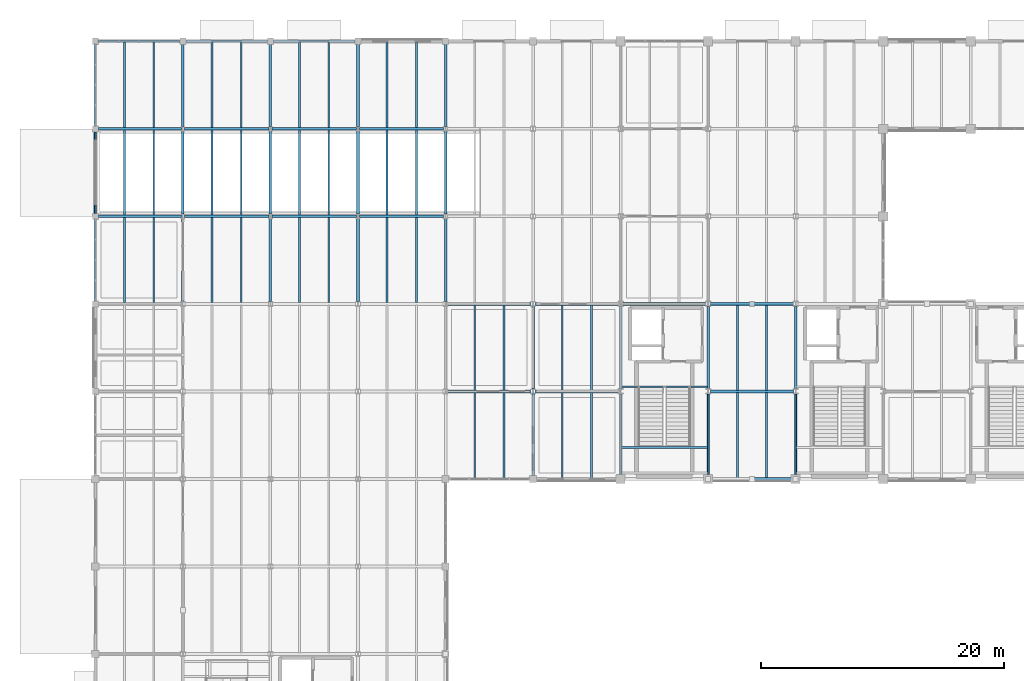
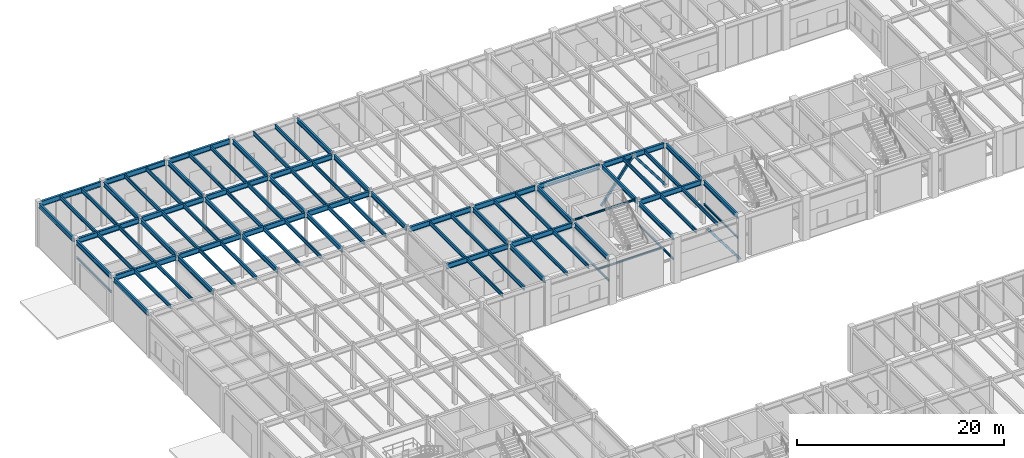
# One storey, part 25 of 97: 83 beams, 3 members.
"""IFC4 building model written with IfcOpenShell, lengths in metres."""

from ifc_helpers import new_model, si_unit, direction, frame, origin, origin_2d, place, context, subcontext, project, spatial, hollow_rectangle, i_section, extrude, material, material_profile, profile_set, type_object, element, save


model = new_model("IFC4")

# Units and contexts
model_context = context("Model", 3, precision=1e-05, world=origin(), true_north=direction((0.0, 1.0)))
body_context = subcontext(model_context, "Body", "Model", "MODEL_VIEW")
ifc_project = project(units=[si_unit("LENGTHUNIT", "METRE"), si_unit("AREAUNIT", "SQUARE_METRE"), si_unit("VOLUMEUNIT", "CUBIC_METRE"), si_unit("PLANEANGLEUNIT", "RADIAN"), si_unit("MASSUNIT", "GRAM", prefix="KILO")], contexts=[model_context])

# Site, building, storey
site_placement = place(None, origin())
site = spatial("IfcSite", under=ifc_project, at=site_placement, CompositionType="ELEMENT")
building_placement = place(site_placement, origin())
building = spatial("IfcBuilding", under=site, at=building_placement, Name="Sillqori Civic Hall", CompositionType="ELEMENT")
storey_placement = place(building_placement, origin())
storey = spatial("IfcBuildingStorey", under=building, at=storey_placement, Name="L01", CompositionType="ELEMENT", Elevation=0.0)

# Beams
ifc_material_1 = material(Name="Steel ASTM A992", Category="steel")
ifc_material_profile_1 = material_profile(ifc_material_1, i_section(OverallWidth=0.2099609375, OverallDepth=0.532958984375, WebThickness=0.01025390625, FlangeThickness=0.015625, FilletRadius=0.013916015625, at=origin_2d()), Name="W21X62")
ifc_profile_set_1 = profile_set([ifc_material_profile_1], Name="Steel ASTM A992")
beam_type_1 = type_object("IfcBeamType", Name="BM-W21X62", PredefinedType="BEAM", material=ifc_profile_set_1)
beam_1_placement = place(storey_placement, frame((7.199951171875, 93.843994140625, 4.93359375), z_axis=(0.0, 1.0, 0.0), x_axis=(-1.0, 0.0, 0.0)))
element("IfcBeam", 1, at=beam_1_placement, inside=storey, type_object=beam_type_1, Name="L01 girder Y 1-13", PredefinedType="BEAM", context=body_context, shape_type="SweptSolid", body=[
    extrude(i_section(OverallWidth=0.2099609375, OverallDepth=0.532958984375, WebThickness=0.01025390625, FlangeThickness=0.015625, FilletRadius=0.013916015625, at=origin_2d()), origin(), (0.0, 0.0, 1.0), 6.7119140625),
])
for number, where, z_axis, x_axis, name in (
    (2, (7.199951171875, 101.0439453125, 4.93359375), (0.0, 1.0, 0.0), (-1.0, 0.0, 0.0), "L01 girder Y 1-14"),
    (3, (7.199951171875, 108.243896484375, 4.93359375), (0.0, 1.0, 0.0), (-1.0, 0.0, 0.0), "L01 girder Y 1-15"),
):
    element("IfcBeam", number, at=place(storey_placement, frame(where, z_axis=z_axis, x_axis=x_axis)), inside=storey, type_object=beam_type_1, Name=name, PredefinedType="BEAM", context=body_context, shape_type="SweptSolid", body=[
        extrude(i_section(OverallWidth=0.2099609375, OverallDepth=0.532958984375, WebThickness=0.01025390625, FlangeThickness=0.015625, FilletRadius=0.013916015625, at=origin_2d()), origin(), (0.0, 0.0, 1.0), 6.712158203125),
    ])
beam_2_placement = place(storey_placement, frame((14.39990234375, 93.7744140625, 4.93359375), z_axis=(0.0, 1.0, 0.0), x_axis=(-1.0, 0.0, 0.0)))
element("IfcBeam", 4, at=beam_2_placement, inside=storey, type_object=beam_type_1, Name="L01 girder Y 2-13", PredefinedType="BEAM", context=body_context, shape_type="SweptSolid", body=[
    extrude(i_section(OverallWidth=0.2099609375, OverallDepth=0.532958984375, WebThickness=0.01025390625, FlangeThickness=0.015625, FilletRadius=0.013916015625, at=origin_2d()), origin(), (0.0, 0.0, 1.0), 6.85009765625),
])
beam_3_placement = place(storey_placement, frame((14.39990234375, 100.9755859375, 4.93359375), z_axis=(0.0, 1.0, 0.0), x_axis=(-1.0, 0.0, 0.0)))
element("IfcBeam", 5, at=beam_3_placement, inside=storey, type_object=beam_type_1, Name="L01 girder Y 2-14", PredefinedType="BEAM", context=body_context, shape_type="SweptSolid", body=[
    extrude(i_section(OverallWidth=0.2099609375, OverallDepth=0.532958984375, WebThickness=0.01025390625, FlangeThickness=0.015625, FilletRadius=0.013916015625, at=origin_2d()), origin(), (0.0, 0.0, 1.0), 6.848876953125),
])
beam_4_placement = place(storey_placement, frame((14.39990234375, 108.175537109375, 4.93359375), z_axis=(0.0, 1.0, 0.0), x_axis=(-1.0, 0.0, 0.0)))
element("IfcBeam", 6, at=beam_4_placement, inside=storey, type_object=beam_type_1, Name="L01 girder Y 2-15", PredefinedType="BEAM", context=body_context, shape_type="SweptSolid", body=[
    extrude(i_section(OverallWidth=0.2099609375, OverallDepth=0.532958984375, WebThickness=0.01025390625, FlangeThickness=0.015625, FilletRadius=0.013916015625, at=origin_2d()), origin(), (0.0, 0.0, 1.0), 6.780517578125),
])
beam_5_placement = place(storey_placement, frame((21.60009765625, 93.778076171875, 4.93359375), z_axis=(0.0, 1.0, 0.0), x_axis=(-1.0, 0.0, 0.0)))
element("IfcBeam", 7, at=beam_5_placement, inside=storey, type_object=beam_type_1, Name="L01 girder Y 3-13", PredefinedType="BEAM", context=body_context, shape_type="SweptSolid", body=[
    extrude(i_section(OverallWidth=0.2099609375, OverallDepth=0.532958984375, WebThickness=0.01025390625, FlangeThickness=0.015625, FilletRadius=0.013916015625, at=origin_2d()), origin(), (0.0, 0.0, 1.0), 6.846435546875),
])
beam_6_placement = place(storey_placement, frame((21.60009765625, 100.9755859375, 4.93359375), z_axis=(0.0, 1.0, 0.0), x_axis=(-1.0, 0.0, 0.0)))
element("IfcBeam", 8, at=beam_6_placement, inside=storey, type_object=beam_type_1, Name="L01 girder Y 3-14", PredefinedType="BEAM", context=body_context, shape_type="SweptSolid", body=[
    extrude(i_section(OverallWidth=0.2099609375, OverallDepth=0.532958984375, WebThickness=0.01025390625, FlangeThickness=0.015625, FilletRadius=0.013916015625, at=origin_2d()), origin(), (0.0, 0.0, 1.0), 6.848876953125),
])
beam_7_placement = place(storey_placement, frame((21.60009765625, 108.175537109375, 4.93359375), z_axis=(0.0, 1.0, 0.0), x_axis=(-1.0, 0.0, 0.0)))
element("IfcBeam", 9, at=beam_7_placement, inside=storey, type_object=beam_type_1, Name="L01 girder Y 3-15", PredefinedType="BEAM", context=body_context, shape_type="SweptSolid", body=[
    extrude(i_section(OverallWidth=0.2099609375, OverallDepth=0.532958984375, WebThickness=0.01025390625, FlangeThickness=0.015625, FilletRadius=0.013916015625, at=origin_2d()), origin(), (0.0, 0.0, 1.0), 6.780517578125),
])
beam_8_placement = place(storey_placement, frame((28.800048828125, 93.781982421875, 4.93359375), z_axis=(0.0, 1.0, 0.0), x_axis=(-1.0, 0.0, 0.0)))
element("IfcBeam", 10, at=beam_8_placement, inside=storey, type_object=beam_type_1, Name="L01 girder Y 4-13", PredefinedType="BEAM", context=body_context, shape_type="SweptSolid", body=[
    extrude(i_section(OverallWidth=0.2099609375, OverallDepth=0.532958984375, WebThickness=0.01025390625, FlangeThickness=0.015625, FilletRadius=0.013916015625, at=origin_2d()), origin(), (0.0, 0.0, 1.0), 6.842529296875),
])
beam_9_placement = place(storey_placement, frame((28.800048828125, 100.9755859375, 4.93359375), z_axis=(0.0, 1.0, 0.0), x_axis=(-1.0, 0.0, 0.0)))
element("IfcBeam", 11, at=beam_9_placement, inside=storey, type_object=beam_type_1, Name="L01 girder Y 4-14", PredefinedType="BEAM", context=body_context, shape_type="SweptSolid", body=[
    extrude(i_section(OverallWidth=0.2099609375, OverallDepth=0.532958984375, WebThickness=0.01025390625, FlangeThickness=0.015625, FilletRadius=0.013916015625, at=origin_2d()), origin(), (0.0, 0.0, 1.0), 6.848876953125),
])
beam_10_placement = place(storey_placement, frame((28.800048828125, 108.175537109375, 4.93359375), z_axis=(0.0, 1.0, 0.0), x_axis=(-1.0, 0.0, 0.0)))
element("IfcBeam", 12, at=beam_10_placement, inside=storey, type_object=beam_type_1, Name="L01 girder Y 4-15", PredefinedType="BEAM", context=body_context, shape_type="SweptSolid", body=[
    extrude(i_section(OverallWidth=0.2099609375, OverallDepth=0.532958984375, WebThickness=0.01025390625, FlangeThickness=0.015625, FilletRadius=0.013916015625, at=origin_2d()), origin(), (0.0, 0.0, 1.0), 6.780517578125),
])
beam_11_placement = place(storey_placement, frame((36.0, 93.787109375, 4.93359375), z_axis=(0.0, 1.0, 0.0), x_axis=(-1.0, 0.0, 0.0)))
element("IfcBeam", 13, at=beam_11_placement, inside=storey, type_object=beam_type_1, Name="L01 girder Y 5-13", PredefinedType="BEAM", context=body_context, shape_type="SweptSolid", body=[
    extrude(i_section(OverallWidth=0.2099609375, OverallDepth=0.532958984375, WebThickness=0.01025390625, FlangeThickness=0.015625, FilletRadius=0.013916015625, at=origin_2d()), origin(), (0.0, 0.0, 1.0), 6.83837890625),
])
beam_12_placement = place(storey_placement, frame((36.0, 100.974609375, 4.93359375), z_axis=(0.0, 1.0, 0.0), x_axis=(-1.0, 0.0, 0.0)))
element("IfcBeam", 14, at=beam_12_placement, inside=storey, type_object=beam_type_1, Name="L01 girder Y 5-14", PredefinedType="BEAM", context=body_context, shape_type="SweptSolid", body=[
    extrude(i_section(OverallWidth=0.2099609375, OverallDepth=0.532958984375, WebThickness=0.01025390625, FlangeThickness=0.015625, FilletRadius=0.013916015625, at=origin_2d()), origin(), (0.0, 0.0, 1.0), 6.850830078125),
])
beam_13_placement = place(storey_placement, frame((36.0, 108.174560546875, 4.93359375), z_axis=(0.0, 1.0, 0.0), x_axis=(-1.0, 0.0, 0.0)))
element("IfcBeam", 15, at=beam_13_placement, inside=storey, type_object=beam_type_1, Name="L01 girder Y 5-15", PredefinedType="BEAM", context=body_context, shape_type="SweptSolid", body=[
    extrude(i_section(OverallWidth=0.2099609375, OverallDepth=0.532958984375, WebThickness=0.01025390625, FlangeThickness=0.015625, FilletRadius=0.013916015625, at=origin_2d()), origin(), (0.0, 0.0, 1.0), 6.781494140625),
])
beam_14_placement = place(storey_placement, frame((43.199951171875, 79.493896484375, 4.93359375), z_axis=(0.0, 1.0, 0.0), x_axis=(-1.0, 0.0, 0.0)))
element("IfcBeam", 16, at=beam_14_placement, inside=storey, type_object=beam_type_1, Name="L01 girder Y 6-11", PredefinedType="BEAM", context=body_context, shape_type="SweptSolid", body=[
    extrude(i_section(OverallWidth=0.2099609375, OverallDepth=0.532958984375, WebThickness=0.01025390625, FlangeThickness=0.015625, FilletRadius=0.013916015625, at=origin_2d()), origin(), (0.0, 0.0, 1.0), 6.718994140625),
])
beam_15_placement = place(storey_placement, frame((43.199951171875, 86.5869140625, 4.93359375), z_axis=(0.0, 1.0, 0.0), x_axis=(-1.0, 0.0, 0.0)))
element("IfcBeam", 17, at=beam_15_placement, inside=storey, type_object=beam_type_1, Name="L01 girder Y 6-12", PredefinedType="BEAM", context=body_context, shape_type="SweptSolid", body=[
    extrude(i_section(OverallWidth=0.2099609375, OverallDepth=0.532958984375, WebThickness=0.01025390625, FlangeThickness=0.015625, FilletRadius=0.013916015625, at=origin_2d()), origin(), (0.0, 0.0, 1.0), 6.826171875),
])
beam_16_placement = place(storey_placement, frame((50.39990234375, 79.569091796875, 4.93359375), z_axis=(0.0, 1.0, 0.0), x_axis=(-1.0, 0.0, 0.0)))
element("IfcBeam", 18, at=beam_16_placement, inside=storey, type_object=beam_type_1, Name="L01 girder Y 7-11", PredefinedType="BEAM", context=body_context, shape_type="SweptSolid", body=[
    extrude(i_section(OverallWidth=0.2099609375, OverallDepth=0.532958984375, WebThickness=0.01025390625, FlangeThickness=0.015625, FilletRadius=0.013916015625, at=origin_2d()), origin(), (0.0, 0.0, 1.0), 6.6337890625),
])
beam_17_placement = place(storey_placement, frame((50.39990234375, 86.596923828125, 4.93359375), z_axis=(0.0, 1.0, 0.0), x_axis=(-1.0, 0.0, 0.0)))
element("IfcBeam", 19, at=beam_17_placement, inside=storey, type_object=beam_type_1, Name="L01 girder Y 7-12", PredefinedType="BEAM", context=body_context, shape_type="SweptSolid", body=[
    extrude(i_section(OverallWidth=0.2099609375, OverallDepth=0.532958984375, WebThickness=0.01025390625, FlangeThickness=0.015625, FilletRadius=0.013916015625, at=origin_2d()), origin(), (0.0, 0.0, 1.0), 6.80615234375),
])
beam_18_placement = place(storey_placement, frame((57.60009765625, 79.569091796875, 4.93359375), z_axis=(0.0, 1.0, 0.0), x_axis=(-1.0, 0.0, 0.0)))
element("IfcBeam", 20, at=beam_18_placement, inside=storey, type_object=beam_type_1, Name="L01 girder Y 8-11", PredefinedType="BEAM", context=body_context, shape_type="SweptSolid", body=[
    extrude(i_section(OverallWidth=0.2099609375, OverallDepth=0.532958984375, WebThickness=0.01025390625, FlangeThickness=0.015625, FilletRadius=0.013916015625, at=origin_2d()), origin(), (0.0, 0.0, 1.0), 6.6337890625),
])
beam_19_placement = place(storey_placement, frame((57.60009765625, 86.596923828125, 4.93359375), z_axis=(0.0, 1.0, 0.0), x_axis=(-1.0, 0.0, 0.0)))
element("IfcBeam", 21, at=beam_19_placement, inside=storey, type_object=beam_type_1, Name="L01 girder Y 8-12", PredefinedType="BEAM", context=body_context, shape_type="SweptSolid", body=[
    extrude(i_section(OverallWidth=0.2099609375, OverallDepth=0.532958984375, WebThickness=0.01025390625, FlangeThickness=0.015625, FilletRadius=0.013916015625, at=origin_2d()), origin(), (0.0, 0.0, 1.0), 6.80615234375),
])
beam_20_placement = place(storey_placement, frame((64.800048828125, 79.569091796875, 4.93359375), z_axis=(0.0, 1.0, 0.0), x_axis=(-1.0, 0.0, 0.0)))
element("IfcBeam", 22, at=beam_20_placement, inside=storey, type_object=beam_type_1, Name="L01 girder Y 9-11", PredefinedType="BEAM", context=body_context, shape_type="SweptSolid", body=[
    extrude(i_section(OverallWidth=0.2099609375, OverallDepth=0.532958984375, WebThickness=0.01025390625, FlangeThickness=0.015625, FilletRadius=0.013916015625, at=origin_2d()), origin(), (0.0, 0.0, 1.0), 6.6337890625),
])
beam_21_placement = place(storey_placement, frame((64.800048828125, 86.596923828125, 4.93359375), z_axis=(0.0, 1.0, 0.0), x_axis=(-1.0, 0.0, 0.0)))
element("IfcBeam", 23, at=beam_21_placement, inside=storey, type_object=beam_type_1, Name="L01 girder Y 9-12", PredefinedType="BEAM", context=body_context, shape_type="SweptSolid", body=[
    extrude(i_section(OverallWidth=0.2099609375, OverallDepth=0.532958984375, WebThickness=0.01025390625, FlangeThickness=0.015625, FilletRadius=0.013916015625, at=origin_2d()), origin(), (0.0, 0.0, 1.0), 6.80615234375),
])
ifc_material_profile_2 = material_profile(ifc_material_1, i_section(OverallWidth=0.22802734375, OverallDepth=0.60205078125, WebThickness=0.010498046875, FlangeThickness=0.014892578125, FilletRadius=0.014892578125, at=origin_2d()), Name="W24X68")
ifc_profile_set_2 = profile_set([ifc_material_profile_2], Name="Steel ASTM A992")
beam_type_2 = type_object("IfcBeamType", Name="BM-W24X68", PredefinedType="BEAM", material=ifc_profile_set_2)
for number, where, z_axis, x_axis, name in (
    (24, (7.444091796875, 100.800048828125, 4.89892578125), (1.0, 0.0, 0.0), (0.0, 1.0, 0.0), "L01 girder X 1-14"),
    (25, (7.444091796875, 108.0, 4.89892578125), (1.0, 0.0, 0.0), (0.0, 1.0, 0.0), "L01 girder X 1-15"),
):
    element("IfcBeam", number, at=place(storey_placement, frame(where, z_axis=z_axis, x_axis=x_axis)), inside=storey, type_object=beam_type_2, Name=name, PredefinedType="BEAM", context=body_context, shape_type="SweptSolid", body=[
        extrude(i_section(OverallWidth=0.22802734375, OverallDepth=0.60205078125, WebThickness=0.010498046875, FlangeThickness=0.014892578125, FilletRadius=0.014892578125, at=origin_2d()), origin(), (0.0, 0.0, 1.0), 6.83349609375),
    ])
beam_22_placement = place(storey_placement, frame((7.444091796875, 115.199951171875, 4.89892578125), z_axis=(1.0, 0.0, 0.0), x_axis=(0.0, 1.0, 0.0)))
element("IfcBeam", 26, at=beam_22_placement, inside=storey, type_object=beam_type_2, Name="L01 girder X 1-16", PredefinedType="BEAM", context=body_context, shape_type="SweptSolid", body=[
    extrude(i_section(OverallWidth=0.22802734375, OverallDepth=0.60205078125, WebThickness=0.010498046875, FlangeThickness=0.014892578125, FilletRadius=0.014892578125, at=origin_2d()), origin(), (0.0, 0.0, 1.0), 6.7119140625),
])
for number, where, z_axis, x_axis, name in (
    (27, (14.5224609375, 100.800048828125, 4.89892578125), (1.0, 0.0, 0.0), (0.0, 1.0, 0.0), "L01 girder X 2-14"),
    (28, (14.5224609375, 108.0, 4.89892578125), (1.0, 0.0, 0.0), (0.0, 1.0, 0.0), "L01 girder X 2-15"),
):
    element("IfcBeam", number, at=place(storey_placement, frame(where, z_axis=z_axis, x_axis=x_axis)), inside=storey, type_object=beam_type_2, Name=name, PredefinedType="BEAM", context=body_context, shape_type="SweptSolid", body=[
        extrude(i_section(OverallWidth=0.22802734375, OverallDepth=0.60205078125, WebThickness=0.010498046875, FlangeThickness=0.014892578125, FilletRadius=0.014892578125, at=origin_2d()), origin(), (0.0, 0.0, 1.0), 6.955078125),
    ])
beam_23_placement = place(storey_placement, frame((14.64404296875, 115.199951171875, 4.89892578125), z_axis=(1.0, 0.0, 0.0), x_axis=(0.0, 1.0, 0.0)))
element("IfcBeam", 29, at=beam_23_placement, inside=storey, type_object=beam_type_2, Name="L01 girder X 2-16", PredefinedType="BEAM", context=body_context, shape_type="SweptSolid", body=[
    extrude(i_section(OverallWidth=0.22802734375, OverallDepth=0.60205078125, WebThickness=0.010498046875, FlangeThickness=0.014892578125, FilletRadius=0.014892578125, at=origin_2d()), origin(), (0.0, 0.0, 1.0), 6.7119140625),
])
for number, where, z_axis, x_axis, name in (
    (30, (21.722412109375, 100.800048828125, 4.89892578125), (1.0, 0.0, 0.0), (0.0, 1.0, 0.0), "L01 girder X 3-14"),
    (31, (21.722412109375, 108.0, 4.89892578125), (1.0, 0.0, 0.0), (0.0, 1.0, 0.0), "L01 girder X 3-15"),
):
    element("IfcBeam", number, at=place(storey_placement, frame(where, z_axis=z_axis, x_axis=x_axis)), inside=storey, type_object=beam_type_2, Name=name, PredefinedType="BEAM", context=body_context, shape_type="SweptSolid", body=[
        extrude(i_section(OverallWidth=0.22802734375, OverallDepth=0.60205078125, WebThickness=0.010498046875, FlangeThickness=0.014892578125, FilletRadius=0.014892578125, at=origin_2d()), origin(), (0.0, 0.0, 1.0), 6.955078125),
    ])
beam_24_placement = place(storey_placement, frame((21.843994140625, 115.199951171875, 4.89892578125), z_axis=(1.0, 0.0, 0.0), x_axis=(0.0, 1.0, 0.0)))
element("IfcBeam", 32, at=beam_24_placement, inside=storey, type_object=beam_type_2, Name="L01 girder X 3-16", PredefinedType="BEAM", context=body_context, shape_type="SweptSolid", body=[
    extrude(i_section(OverallWidth=0.22802734375, OverallDepth=0.60205078125, WebThickness=0.010498046875, FlangeThickness=0.014892578125, FilletRadius=0.014892578125, at=origin_2d()), origin(), (0.0, 0.0, 1.0), 6.7119140625),
])
for number, where, z_axis, x_axis, name in (
    (33, (28.922607421875, 100.800048828125, 4.89892578125), (1.0, 0.0, 0.0), (0.0, 1.0, 0.0), "L01 girder X 4-14"),
    (34, (28.922607421875, 108.0, 4.89892578125), (1.0, 0.0, 0.0), (0.0, 1.0, 0.0), "L01 girder X 4-15"),
):
    element("IfcBeam", number, at=place(storey_placement, frame(where, z_axis=z_axis, x_axis=x_axis)), inside=storey, type_object=beam_type_2, Name=name, PredefinedType="BEAM", context=body_context, shape_type="SweptSolid", body=[
        extrude(i_section(OverallWidth=0.22802734375, OverallDepth=0.60205078125, WebThickness=0.010498046875, FlangeThickness=0.014892578125, FilletRadius=0.014892578125, at=origin_2d()), origin(), (0.0, 0.0, 1.0), 6.89794921875),
    ])
for number, where, z_axis, x_axis, name in (
    (35, (36.193603515625, 86.39990234375, 4.89892578125), (1.0, 0.0, 0.0), (0.0, 1.0, 0.0), "L01 girder X 5-12"),
    (36, (36.193603515625, 93.60009765625, 4.89892578125), (1.0, 0.0, 0.0), (0.0, 1.0, 0.0), "L01 girder X 5-13"),
):
    element("IfcBeam", number, at=place(storey_placement, frame(where, z_axis=z_axis, x_axis=x_axis)), inside=storey, type_object=beam_type_2, Name=name, PredefinedType="BEAM", context=body_context, shape_type="SweptSolid", body=[
        extrude(i_section(OverallWidth=0.22802734375, OverallDepth=0.60205078125, WebThickness=0.010498046875, FlangeThickness=0.014892578125, FilletRadius=0.014892578125, at=origin_2d()), origin(), (0.0, 0.0, 1.0), 6.81298828125),
    ])
for number, where, z_axis, x_axis, name in (
    (37, (43.3935546875, 86.39990234375, 4.89892578125), (1.0, 0.0, 0.0), (0.0, 1.0, 0.0), "L01 girder X 6-12"),
    (38, (43.3935546875, 93.60009765625, 4.89892578125), (1.0, 0.0, 0.0), (0.0, 1.0, 0.0), "L01 girder X 6-13"),
):
    element("IfcBeam", number, at=place(storey_placement, frame(where, z_axis=z_axis, x_axis=x_axis)), inside=storey, type_object=beam_type_2, Name=name, PredefinedType="BEAM", context=body_context, shape_type="SweptSolid", body=[
        extrude(i_section(OverallWidth=0.22802734375, OverallDepth=0.60205078125, WebThickness=0.010498046875, FlangeThickness=0.014892578125, FilletRadius=0.014892578125, at=origin_2d()), origin(), (0.0, 0.0, 1.0), 6.810546875),
    ])
for number, where, z_axis, x_axis, name in (
    (39, (50.595947265625, 93.60009765625, 4.89892578125), (1.0, 0.0, 0.0), (0.0, 1.0, 0.0), "L01 girder X 7-13"),
    (40, (57.7958984375, 86.39990234375, 4.89892578125), (1.0, 0.0, 0.0), (0.0, 1.0, 0.0), "L01 girder X 8-12"),
    (41, (57.7958984375, 93.60009765625, 4.89892578125), (1.0, 0.0, 0.0), (0.0, 1.0, 0.0), "L01 girder X 8-13"),
):
    element("IfcBeam", number, at=place(storey_placement, frame(where, z_axis=z_axis, x_axis=x_axis)), inside=storey, type_object=beam_type_2, Name=name, PredefinedType="BEAM", context=body_context, shape_type="SweptSolid", body=[
        extrude(i_section(OverallWidth=0.22802734375, OverallDepth=0.60205078125, WebThickness=0.010498046875, FlangeThickness=0.014892578125, FilletRadius=0.014892578125, at=origin_2d()), origin(), (0.0, 0.0, 1.0), 6.80810546875),
    ])

# Members
ifc_material_2 = material(Name="Steel ASTM A500 Grade C", Category="steel")
ifc_material_profile_3 = material_profile(ifc_material_2, hollow_rectangle(XDim=0.25, YDim=0.25, WallThickness=0.011962890625, InnerFilletRadius=0.011962890625, OuterFilletRadius=0.02392578125, at=origin_2d()), Name="HSS250X250X12")
ifc_profile_set_3 = profile_set([ifc_material_profile_3], Name="Steel ASTM A500 Grade C")
member_type = type_object("IfcMemberType", Name="BR-HSS250", PredefinedType="BRACE", material=ifc_profile_set_3)
member_1_placement = place(storey_placement, frame((64.800048828125, 79.199951171875, 0.14990234375), z_axis=(-0.60402960076, 0.0, 0.796961882028), x_axis=(0.0, -1.0, 0.0)))
element("IfcMember", 42, at=member_1_placement, inside=storey, type_object=member_type, Name="L01 seismic chevron brace R X11-8", PredefinedType="BRACE", context=body_context, shape_type="SweptSolid", body=[
    extrude(hollow_rectangle(XDim=0.25, YDim=0.25, WallThickness=0.011962890625, InnerFilletRadius=0.011962890625, OuterFilletRadius=0.02392578125, at=origin_2d()), origin(), (0.0, 0.0, 1.0), 5.960205078125),
])
member_2_placement = place(storey_placement, frame((57.60009765625, 93.60009765625, 0.14990234375), z_axis=(0.604003582682, 0.0, 0.796981600859), x_axis=(0.0, 1.0, 0.0)))
element("IfcMember", 43, at=member_2_placement, inside=storey, type_object=member_type, Name="L01 seismic chevron brace L X13-8", PredefinedType="BRACE", context=body_context, shape_type="SweptSolid", body=[
    extrude(hollow_rectangle(XDim=0.25, YDim=0.25, WallThickness=0.011962890625, InnerFilletRadius=0.011962890625, OuterFilletRadius=0.02392578125, at=origin_2d()), origin(), (0.0, 0.0, 1.0), 5.9599609375),
])
member_3_placement = place(storey_placement, frame((64.800048828125, 93.60009765625, 0.14990234375), z_axis=(-0.60402960076, 0.0, 0.796961882028), x_axis=(0.0, -1.0, 0.0)))
element("IfcMember", 44, at=member_3_placement, inside=storey, type_object=member_type, Name="L01 seismic chevron brace R X13-8", PredefinedType="BRACE", context=body_context, shape_type="SweptSolid", body=[
    extrude(hollow_rectangle(XDim=0.25, YDim=0.25, WallThickness=0.011962890625, InnerFilletRadius=0.011962890625, OuterFilletRadius=0.02392578125, at=origin_2d()), origin(), (0.0, 0.0, 1.0), 5.960205078125),
])

# Beams
ifc_material_profile_4 = material_profile(ifc_material_1, i_section(OverallWidth=0.153076171875, OverallDepth=0.455078125, WebThickness=0.008056640625, FlangeThickness=0.01318359375, FilletRadius=0.012939453125, at=origin_2d()), Name="W18X40")
ifc_profile_set_4 = profile_set([ifc_material_profile_4], Name="Steel ASTM A992")
beam_type_3 = type_object("IfcBeamType", Name="JS-W18X40", PredefinedType="JOIST", material=ifc_profile_set_4)
for number, where, z_axis, x_axis, name in (
    (45, (9.60009765625, 93.695068359375, 4.972412109375), (0.0, 1.0, 0.0), (-1.0, 0.0, 0.0), "L01 composite joist 1-13.1"),
    (46, (12.0, 93.695068359375, 4.972412109375), (0.0, 1.0, 0.0), (-1.0, 0.0, 0.0), "L01 composite joist 1-13.2"),
    (47, (9.60009765625, 100.89501953125, 4.972412109375), (0.0, 1.0, 0.0), (-1.0, 0.0, 0.0), "L01 composite joist 1-14.1"),
    (48, (12.0, 100.89501953125, 4.972412109375), (0.0, 1.0, 0.0), (-1.0, 0.0, 0.0), "L01 composite joist 1-14.2"),
    (49, (9.60009765625, 108.094970703125, 4.972412109375), (0.0, 1.0, 0.0), (-1.0, 0.0, 0.0), "L01 composite joist 1-15.1"),
    (50, (12.0, 108.094970703125, 4.972412109375), (0.0, 1.0, 0.0), (-1.0, 0.0, 0.0), "L01 composite joist 1-15.2"),
    (51, (16.800048828125, 93.695068359375, 4.972412109375), (0.0, 1.0, 0.0), (-1.0, 0.0, 0.0), "L01 composite joist 2-13.1"),
    (52, (19.199951171875, 93.695068359375, 4.972412109375), (0.0, 1.0, 0.0), (-1.0, 0.0, 0.0), "L01 composite joist 2-13.2"),
    (53, (16.800048828125, 100.89501953125, 4.972412109375), (0.0, 1.0, 0.0), (-1.0, 0.0, 0.0), "L01 composite joist 2-14.1"),
    (54, (19.199951171875, 100.89501953125, 4.972412109375), (0.0, 1.0, 0.0), (-1.0, 0.0, 0.0), "L01 composite joist 2-14.2"),
    (55, (16.800048828125, 108.094970703125, 4.972412109375), (0.0, 1.0, 0.0), (-1.0, 0.0, 0.0), "L01 composite joist 2-15.1"),
    (56, (19.199951171875, 108.094970703125, 4.972412109375), (0.0, 1.0, 0.0), (-1.0, 0.0, 0.0), "L01 composite joist 2-15.2"),
    (57, (24.0, 93.695068359375, 4.972412109375), (0.0, 1.0, 0.0), (-1.0, 0.0, 0.0), "L01 composite joist 3-13.1"),
    (58, (26.39990234375, 93.695068359375, 4.972412109375), (0.0, 1.0, 0.0), (-1.0, 0.0, 0.0), "L01 composite joist 3-13.2"),
    (59, (24.0, 100.89501953125, 4.972412109375), (0.0, 1.0, 0.0), (-1.0, 0.0, 0.0), "L01 composite joist 3-14.1"),
    (60, (26.39990234375, 100.89501953125, 4.972412109375), (0.0, 1.0, 0.0), (-1.0, 0.0, 0.0), "L01 composite joist 3-14.2"),
    (61, (24.0, 108.094970703125, 4.972412109375), (0.0, 1.0, 0.0), (-1.0, 0.0, 0.0), "L01 composite joist 3-15.1"),
    (62, (26.39990234375, 108.094970703125, 4.972412109375), (0.0, 1.0, 0.0), (-1.0, 0.0, 0.0), "L01 composite joist 3-15.2"),
    (63, (31.199951171875, 93.695068359375, 4.972412109375), (0.0, 1.0, 0.0), (-1.0, 0.0, 0.0), "L01 composite joist 4-13.1"),
    (64, (33.60009765625, 93.695068359375, 4.972412109375), (0.0, 1.0, 0.0), (-1.0, 0.0, 0.0), "L01 composite joist 4-13.2"),
    (65, (31.199951171875, 100.89501953125, 4.972412109375), (0.0, 1.0, 0.0), (-1.0, 0.0, 0.0), "L01 composite joist 4-14.1"),
    (66, (33.60009765625, 100.89501953125, 4.972412109375), (0.0, 1.0, 0.0), (-1.0, 0.0, 0.0), "L01 composite joist 4-14.2"),
    (67, (31.199951171875, 108.094970703125, 4.972412109375), (0.0, 1.0, 0.0), (-1.0, 0.0, 0.0), "L01 composite joist 4-15.1"),
    (68, (33.60009765625, 108.094970703125, 4.972412109375), (0.0, 1.0, 0.0), (-1.0, 0.0, 0.0), "L01 composite joist 4-15.2"),
    (69, (38.39990234375, 79.294921875, 4.972412109375), (0.0, 1.0, 0.0), (-1.0, 0.0, 0.0), "L01 composite joist 5-11.1"),
    (70, (40.800048828125, 79.294921875, 4.972412109375), (0.0, 1.0, 0.0), (-1.0, 0.0, 0.0), "L01 composite joist 5-11.2"),
):
    element("IfcBeam", number, at=place(storey_placement, frame(where, z_axis=z_axis, x_axis=x_axis)), inside=storey, type_object=beam_type_3, Name=name, PredefinedType="JOIST", context=body_context, shape_type="SweptSolid", body=[
        extrude(i_section(OverallWidth=0.153076171875, OverallDepth=0.455078125, WebThickness=0.008056640625, FlangeThickness=0.01318359375, FilletRadius=0.012939453125, at=origin_2d()), origin(), (0.0, 0.0, 1.0), 7.010009765625),
    ])
for number, where, z_axis, x_axis, name in (
    (71, (38.39990234375, 86.4951171875, 4.972412109375), (0.0, 1.0, 0.0), (-1.0, 0.0, 0.0), "L01 composite joist 5-12.1"),
    (72, (40.800048828125, 86.4951171875, 4.972412109375), (0.0, 1.0, 0.0), (-1.0, 0.0, 0.0), "L01 composite joist 5-12.2"),
):
    element("IfcBeam", number, at=place(storey_placement, frame(where, z_axis=z_axis, x_axis=x_axis)), inside=storey, type_object=beam_type_3, Name=name, PredefinedType="JOIST", context=body_context, shape_type="SweptSolid", body=[
        extrude(i_section(OverallWidth=0.153076171875, OverallDepth=0.455078125, WebThickness=0.008056640625, FlangeThickness=0.01318359375, FilletRadius=0.012939453125, at=origin_2d()), origin(), (0.0, 0.0, 1.0), 7.009765625),
    ])
for number, where, z_axis, x_axis, name in (
    (73, (45.60009765625, 79.294921875, 4.972412109375), (0.0, 1.0, 0.0), (-1.0, 0.0, 0.0), "L01 composite joist 6-11.1"),
    (74, (48.0, 79.294921875, 4.972412109375), (0.0, 1.0, 0.0), (-1.0, 0.0, 0.0), "L01 composite joist 6-11.2"),
):
    element("IfcBeam", number, at=place(storey_placement, frame(where, z_axis=z_axis, x_axis=x_axis)), inside=storey, type_object=beam_type_3, Name=name, PredefinedType="JOIST", context=body_context, shape_type="SweptSolid", body=[
        extrude(i_section(OverallWidth=0.153076171875, OverallDepth=0.455078125, WebThickness=0.008056640625, FlangeThickness=0.01318359375, FilletRadius=0.012939453125, at=origin_2d()), origin(), (0.0, 0.0, 1.0), 7.010009765625),
    ])
for number, where, z_axis, x_axis, name in (
    (75, (45.60009765625, 86.4951171875, 4.972412109375), (0.0, 1.0, 0.0), (-1.0, 0.0, 0.0), "L01 composite joist 6-12.1"),
    (76, (48.0, 86.4951171875, 4.972412109375), (0.0, 1.0, 0.0), (-1.0, 0.0, 0.0), "L01 composite joist 6-12.2"),
):
    element("IfcBeam", number, at=place(storey_placement, frame(where, z_axis=z_axis, x_axis=x_axis)), inside=storey, type_object=beam_type_3, Name=name, PredefinedType="JOIST", context=body_context, shape_type="SweptSolid", body=[
        extrude(i_section(OverallWidth=0.153076171875, OverallDepth=0.455078125, WebThickness=0.008056640625, FlangeThickness=0.01318359375, FilletRadius=0.012939453125, at=origin_2d()), origin(), (0.0, 0.0, 1.0), 7.009765625),
    ])
for number, where, z_axis, x_axis, name in (
    (77, (60.0, 79.294921875, 4.972412109375), (0.0, 1.0, 0.0), (-1.0, 0.0, 0.0), "L01 composite joist 8-11.1"),
    (78, (62.39990234375, 79.294921875, 4.972412109375), (0.0, 1.0, 0.0), (-1.0, 0.0, 0.0), "L01 composite joist 8-11.2"),
):
    element("IfcBeam", number, at=place(storey_placement, frame(where, z_axis=z_axis, x_axis=x_axis)), inside=storey, type_object=beam_type_3, Name=name, PredefinedType="JOIST", context=body_context, shape_type="SweptSolid", body=[
        extrude(i_section(OverallWidth=0.153076171875, OverallDepth=0.455078125, WebThickness=0.008056640625, FlangeThickness=0.01318359375, FilletRadius=0.012939453125, at=origin_2d()), origin(), (0.0, 0.0, 1.0), 7.010009765625),
    ])
for number, where, z_axis, x_axis, name in (
    (79, (60.0, 86.4951171875, 4.972412109375), (0.0, 1.0, 0.0), (-1.0, 0.0, 0.0), "L01 composite joist 8-12.1"),
    (80, (62.39990234375, 86.4951171875, 4.972412109375), (0.0, 1.0, 0.0), (-1.0, 0.0, 0.0), "L01 composite joist 8-12.2"),
):
    element("IfcBeam", number, at=place(storey_placement, frame(where, z_axis=z_axis, x_axis=x_axis)), inside=storey, type_object=beam_type_3, Name=name, PredefinedType="JOIST", context=body_context, shape_type="SweptSolid", body=[
        extrude(i_section(OverallWidth=0.153076171875, OverallDepth=0.455078125, WebThickness=0.008056640625, FlangeThickness=0.01318359375, FilletRadius=0.012939453125, at=origin_2d()), origin(), (0.0, 0.0, 1.0), 7.009765625),
    ])
ifc_material_profile_5 = material_profile(ifc_material_1, i_section(OverallWidth=0.133056640625, OverallDepth=0.20703125, WebThickness=0.005859375, FlangeThickness=0.00830078125, FilletRadius=0.008056640625, at=origin_2d()), Name="W8X18")
ifc_profile_set_5 = profile_set([ifc_material_profile_5], Name="Steel ASTM A992")
beam_type_4 = type_object("IfcBeamType", Name="LN-W8X18", PredefinedType="LINTEL", material=ifc_profile_set_5)
beam_25_placement = place(storey_placement, frame((7.199951171875, 101.0439453125, 3.14990234375), z_axis=(0.0, 1.0, 0.0), x_axis=(-1.0, 0.0, 0.0)))
element("IfcBeam", 81, at=beam_25_placement, inside=storey, type_object=beam_type_4, Name="Vehicle ramp gate steel lintel", PredefinedType="LINTEL", context=body_context, shape_type="SweptSolid", body=[
    extrude(i_section(OverallWidth=0.133056640625, OverallDepth=0.20703125, WebThickness=0.005859375, FlangeThickness=0.00830078125, FilletRadius=0.008056640625, at=origin_2d()), origin(), (0.0, 0.0, 1.0), 6.712158203125),
])
for number, where, z_axis, x_axis, name in (
    (82, (50.39990234375, 79.569091796875, 2.382568359375), (0.0, 1.0, 0.0), (-1.0, 0.0, 0.0), "L01 grid 7 stair landing stringer 1"),
    (83, (57.60009765625, 79.569091796875, 2.382568359375), (0.0, 1.0, 0.0), (-1.0, 0.0, 0.0), "L01 grid 8 stair landing stringer 1"),
):
    element("IfcBeam", number, at=place(storey_placement, frame(where, z_axis=z_axis, x_axis=x_axis)), inside=storey, type_object=beam_type_4, Name=name, PredefinedType="LINTEL", context=body_context, shape_type="SweptSolid", body=[
        extrude(i_section(OverallWidth=0.133056640625, OverallDepth=0.20703125, WebThickness=0.005859375, FlangeThickness=0.00830078125, FilletRadius=0.008056640625, at=origin_2d()), origin(), (0.0, 0.0, 1.0), 6.6337890625),
    ])
for number, where, z_axis, x_axis, name in (
    (84, (50.449951171875, 81.7900390625, 2.382568359375), (1.0, 0.0, 0.0), (0.0, 1.0, 0.0), "L01 C5 stair half-landing steel ledger 1.2"),
    (85, (50.449951171875, 86.77001953125, 5.1025390625), (1.0, 0.0, 0.0), (0.0, 1.0, 0.0), "L01 C5 stair upper arrival steel trimmer"),
):
    element("IfcBeam", number, at=place(storey_placement, frame(where, z_axis=z_axis, x_axis=x_axis)), inside=storey, type_object=beam_type_4, Name=name, PredefinedType="LINTEL", context=body_context, shape_type="SweptSolid", body=[
        extrude(i_section(OverallWidth=0.133056640625, OverallDepth=0.20703125, WebThickness=0.005859375, FlangeThickness=0.00830078125, FilletRadius=0.008056640625, at=origin_2d()), origin(), (0.0, 0.0, 1.0), 7.10009765625),
    ])
beam_26_placement = place(storey_placement, frame((64.800048828125, 79.569091796875, 2.382568359375), z_axis=(0.0, 1.0, 0.0), x_axis=(-1.0, 0.0, 0.0)))
element("IfcBeam", 86, at=beam_26_placement, inside=storey, type_object=beam_type_4, Name="L01 grid 9 stair landing stringer 1", PredefinedType="LINTEL", context=body_context, shape_type="SweptSolid", body=[
    extrude(i_section(OverallWidth=0.133056640625, OverallDepth=0.20703125, WebThickness=0.005859375, FlangeThickness=0.00830078125, FilletRadius=0.008056640625, at=origin_2d()), origin(), (0.0, 0.0, 1.0), 6.6337890625),
])

save(model, "model.ifc")
